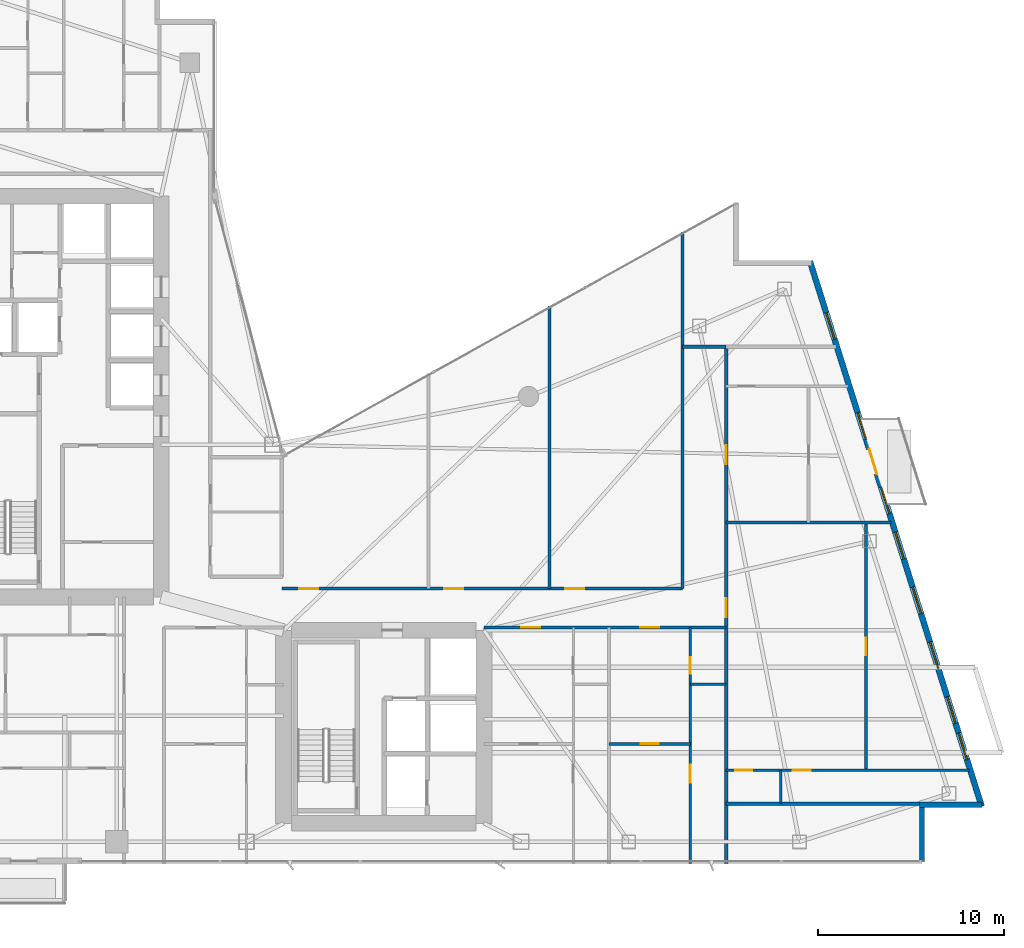
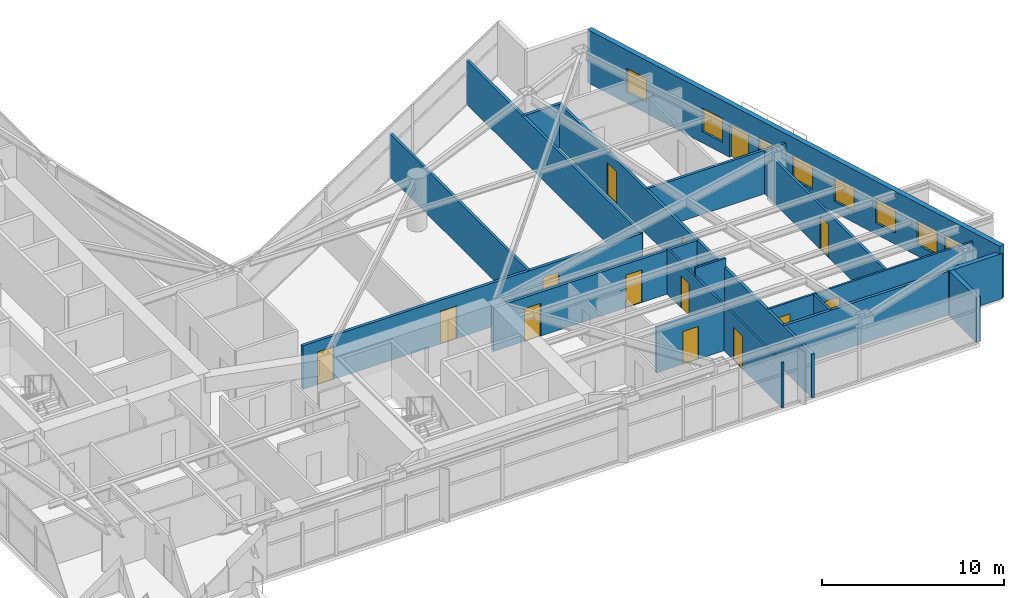
# One storey, part 24 of 29: 17 walls, 14 doors, 8 windows, 22 openings.
"""IFC4 building model written with IfcOpenShell, lengths in metres."""

from ifc_helpers import new_model, si_unit, direction, frame, frame_2d, origin, place, context, subcontext, project, spatial, rectangle, extrude, material, layer, layer_set, type_object, element, fill, save


model = new_model("IFC4")

# Units and contexts
model_context = context("Model", 3, precision=1e-05, world=origin(), true_north=direction((0.0, 1.0)))
body_context = subcontext(model_context, "Body", "Model", "MODEL_VIEW")
ifc_project = project(units=[si_unit("LENGTHUNIT", "METRE"), si_unit("AREAUNIT", "SQUARE_METRE"), si_unit("VOLUMEUNIT", "CUBIC_METRE"), si_unit("PLANEANGLEUNIT", "RADIAN"), si_unit("MASSUNIT", "GRAM", prefix="KILO")], contexts=[model_context])

# Site, building, storey
site_placement = place(None, origin())
site = spatial("IfcSite", under=ifc_project, at=site_placement, CompositionType="ELEMENT")
building_placement = place(site_placement, origin())
building = spatial("IfcBuilding", under=site, at=building_placement, Name="Calvorn Quay Hotel", CompositionType="ELEMENT")
storey_placement = place(building_placement, frame((0.0, 0.0, 163.699951171875)))
storey = spatial("IfcBuildingStorey", under=building, at=storey_placement, Name="L40", CompositionType="ELEMENT", Elevation=163.699951171875)

# Wall, openings, doors
ifc_material_1 = material(Name="Acoustic Fireboard Steel-Stud Partition", Category="steel")
ifc_layer_1 = layer(ifc_material_1, 0.179931640625)
ifc_layer_set_1 = layer_set([ifc_layer_1], Name="WL-CORR-FIRE-180")
wall_type_1 = type_object("IfcWallType", Name="WL-CORR-FIRE-180", PredefinedType="PARTITIONING", material=ifc_layer_set_1)
wall_1_placement = place(storey_placement, frame((32.39990234375, 15.14990234375, 0.0), z_axis=(0.0, 0.0, 1.0), x_axis=(1.0, 0.0, 0.0)))
wall_1 = element("IfcWall", 1, at=wall_1_placement, inside=storey, type_object=wall_type_1, Name="Partition Wall L40-WL-CORR-SE-S", PredefinedType="PARTITIONING", context=body_context, shape_type="SweptSolid", body=[
    extrude(rectangle(XDim=13.050048828125, YDim=0.179931640625, at=frame_2d((6.52490234375, 0.0))), origin(), (0.0, 0.0, 1.0), 2.93994140625),
])
opening_1_placement = place(wall_1_placement, frame((2.0, 0.0, 0.0)))
opening_1 = element("IfcOpeningElement", 2, at=opening_1_placement, cuts=wall_1, Name="Opening D-L40-U06", PredefinedType="OPENING", context=body_context, shape_type="SweptSolid", body=[
    extrude(rectangle(XDim=1.02001953125, YDim=2.199951171875, at=frame_2d((0.510009765625, 1.10009765625))), frame((0.0, 0.099853515625, 0.0), z_axis=(0.0, -1.0, 0.0), x_axis=(1.0, 0.0, 0.0)), (0.0, 0.0, 1.0), 0.199951171875),
])
opening_2_placement = place(wall_1_placement, frame((8.429931640625, 0.0, 0.0)))
opening_2 = element("IfcOpeningElement", 3, at=opening_2_placement, cuts=wall_1, Name="Opening D-L40-U07", PredefinedType="OPENING", context=body_context, shape_type="SweptSolid", body=[
    extrude(rectangle(XDim=1.02001953125, YDim=2.199951171875, at=frame_2d((0.510009765625, 1.10009765625))), frame((0.0, 0.099853515625, 0.0), z_axis=(0.0, -1.0, 0.0), x_axis=(1.0, 0.0, 0.0)), (0.0, 0.0, 1.0), 0.199951171875),
])
ifc_material_2 = material(Name="Solid-Core Walnut Veneer Hotel Fire Door")
door_type_1 = type_object("IfcDoorType", Name="DR-GUEST-ENTRY-1020", OperationType="NOTDEFINED", PredefinedType="DOOR", material=ifc_material_2)
door_1_placement = place(opening_1_placement, origin())
door_1 = element("IfcDoor", 4, at=door_1_placement, inside=storey, type_object=door_type_1, Name="South-East Unit Door U06 (L40)", OperationType="SINGLE_SWING_LEFT", OverallHeight=2.199951171875, OverallWidth=1.02001953125, PredefinedType="DOOR", context=body_context, shape_type="SweptSolid", body=[
    extrude(rectangle(XDim=1.02001953125, YDim=2.199951171875, at=frame_2d((0.510009765625, 1.10009765625))), frame((0.0, 0.02490234375, 0.0), z_axis=(0.0, -1.0, 0.0), x_axis=(1.0, 0.0, 0.0)), (0.0, 0.0, 1.0), 0.050048828125),
])
fill(opening_1, door_1)
door_2_placement = place(opening_2_placement, origin())
door_2 = element("IfcDoor", 5, at=door_2_placement, inside=storey, type_object=door_type_1, Name="South-East Unit Door U07 (L40)", OperationType="SINGLE_SWING_RIGHT", OverallHeight=2.199951171875, OverallWidth=1.02001953125, PredefinedType="DOOR", context=body_context, shape_type="SweptSolid", body=[
    extrude(rectangle(XDim=1.02001953125, YDim=2.199951171875, at=frame_2d((0.510009765625, 1.10009765625))), frame((0.0, 0.02490234375, 0.0), z_axis=(0.0, -1.0, 0.0), x_axis=(1.0, 0.0, 0.0)), (0.0, 0.0, 1.0), 0.050048828125),
])
fill(opening_2, door_2)

wall_2_placement = place(storey_placement, frame((21.5, 17.25, 0.0), z_axis=(0.0, 0.0, 1.0), x_axis=(1.0, 0.0, 0.0)))
wall_2 = element("IfcWall", 6, at=wall_2_placement, inside=storey, type_object=wall_type_1, Name="Partition Wall L40-WL-CORR-NE-N", PredefinedType="PARTITIONING", context=body_context, shape_type="SweptSolid", body=[
    extrude(rectangle(XDim=21.60009765625, YDim=0.179931640625, at=frame_2d((10.800048828125, 0.0))), origin(), (0.0, 0.0, 1.0), 2.93994140625),
])
opening_3_placement = place(wall_2_placement, frame((0.949951171875, 0.0, 0.0)))
opening_3 = element("IfcOpeningElement", 7, at=opening_3_placement, cuts=wall_2, Name="Opening D-L40-NS1", PredefinedType="OPENING", context=body_context, shape_type="SweptSolid", body=[
    extrude(rectangle(XDim=1.02001953125, YDim=2.199951171875, at=frame_2d((0.510009765625, 1.10009765625))), frame((0.0, 0.099853515625, 0.0), z_axis=(0.0, -1.0, 0.0), x_axis=(1.0, 0.0, 0.0)), (0.0, 0.0, 1.0), 0.199951171875),
])
opening_4_placement = place(wall_2_placement, frame((8.77001953125, 0.0, 0.0)))
opening_4 = element("IfcOpeningElement", 8, at=opening_4_placement, cuts=wall_2, Name="Opening D-L40-NS2", PredefinedType="OPENING", context=body_context, shape_type="SweptSolid", body=[
    extrude(rectangle(XDim=1.02001953125, YDim=2.199951171875, at=frame_2d((0.510009765625, 1.10009765625))), frame((0.0, 0.099853515625, 0.0), z_axis=(0.0, -1.0, 0.0), x_axis=(1.0, 0.0, 0.0)), (0.0, 0.0, 1.0), 0.199951171875),
])
opening_5_placement = place(wall_2_placement, frame((15.280029296875, 0.0, 0.0)))
opening_5 = element("IfcOpeningElement", 9, at=opening_5_placement, cuts=wall_2, Name="Opening D-L40-NS3", PredefinedType="OPENING", context=body_context, shape_type="SweptSolid", body=[
    extrude(rectangle(XDim=1.02001953125, YDim=2.199951171875, at=frame_2d((0.510009765625, 1.10009765625))), frame((0.0, 0.099853515625, 0.0), z_axis=(0.0, -1.0, 0.0), x_axis=(1.0, 0.0, 0.0)), (0.0, 0.0, 1.0), 0.199951171875),
])
door_3_placement = place(opening_3_placement, origin())
door_3 = element("IfcDoor", 10, at=door_3_placement, inside=storey, type_object=door_type_1, Name="Conservatory Salon Door 1 (L40)", OperationType="SINGLE_SWING_RIGHT", OverallHeight=2.199951171875, OverallWidth=1.02001953125, PredefinedType="DOOR", context=body_context, shape_type="SweptSolid", body=[
    extrude(rectangle(XDim=1.02001953125, YDim=2.199951171875, at=frame_2d((0.510009765625, 1.10009765625))), frame((0.0, 0.02490234375, 0.0), z_axis=(0.0, -1.0, 0.0), x_axis=(1.0, 0.0, 0.0)), (0.0, 0.0, 1.0), 0.050048828125),
])
fill(opening_3, door_3)
door_4_placement = place(opening_4_placement, origin())
door_4 = element("IfcDoor", 11, at=door_4_placement, inside=storey, type_object=door_type_1, Name="Conservatory Salon Door 2 (L40)", OperationType="SINGLE_SWING_LEFT", OverallHeight=2.199951171875, OverallWidth=1.02001953125, PredefinedType="DOOR", context=body_context, shape_type="SweptSolid", body=[
    extrude(rectangle(XDim=1.02001953125, YDim=2.199951171875, at=frame_2d((0.510009765625, 1.10009765625))), frame((0.0, 0.02490234375, 0.0), z_axis=(0.0, -1.0, 0.0), x_axis=(1.0, 0.0, 0.0)), (0.0, 0.0, 1.0), 0.050048828125),
])
fill(opening_4, door_4)
door_5_placement = place(opening_5_placement, origin())
door_5 = element("IfcDoor", 12, at=door_5_placement, inside=storey, type_object=door_type_1, Name="Conservatory Salon Door 3 (L40)", OperationType="SINGLE_SWING_RIGHT", OverallHeight=2.199951171875, OverallWidth=1.02001953125, PredefinedType="DOOR", context=body_context, shape_type="SweptSolid", body=[
    extrude(rectangle(XDim=1.02001953125, YDim=2.199951171875, at=frame_2d((0.510009765625, 1.10009765625))), frame((0.0, 0.02490234375, 0.0), z_axis=(0.0, -1.0, 0.0), x_axis=(1.0, 0.0, 0.0)), (0.0, 0.0, 1.0), 0.050048828125),
])
fill(opening_5, door_5)

# Walls
wall_3_placement = place(storey_placement, frame((43.10009765625, 17.25, 0.0), z_axis=(0.0, 0.0, 1.0), x_axis=(0.0, 1.0, 0.0)))
element("IfcWall", 13, at=wall_3_placement, inside=storey, type_object=wall_type_1, Name="Partition Wall L40-WL-NE-END-E", PredefinedType="PARTITIONING", context=body_context, shape_type="SweptSolid", body=[
    extrude(rectangle(XDim=19.2099609375, YDim=0.179931640625, at=frame_2d((9.60498046875, 0.0))), origin(), (0.0, 0.0, 1.0), 2.93994140625),
])
wall_4_placement = place(storey_placement, frame((45.449951171875, 5.659912109375, 0.0), z_axis=(0.0, 0.0, 1.0), x_axis=(1.0, 0.0, 0.0)))
element("IfcWall", 14, at=wall_4_placement, inside=storey, type_object=wall_type_1, Name="Partition Wall L40-WL-TIP-S", PredefinedType="PARTITIONING", context=body_context, shape_type="SweptSolid", body=[
    extrude(rectangle(XDim=10.550048828125, YDim=0.179931640625, at=frame_2d((5.27490234375, 0.0))), origin(), (0.0, 0.0, 1.0), 2.93994140625),
])

# Wall, openings, doors
wall_5_placement = place(storey_placement, frame((45.449951171875, 2.43994140625, 0.0), z_axis=(0.0, 0.0, 1.0), x_axis=(0.0, 1.0, 0.0)))
wall_5 = element("IfcWall", 15, at=wall_5_placement, inside=storey, type_object=wall_type_1, Name="Partition Wall L40-WL-CORR-TIP-E", PredefinedType="PARTITIONING", context=body_context, shape_type="SweptSolid", body=[
    extrude(rectangle(XDim=27.840087890625, YDim=0.179931640625, at=frame_2d((13.919921875, 0.0))), origin(), (0.0, 0.0, 1.0), 2.93994140625),
])
opening_6_placement = place(wall_5_placement, frame((13.260009765625, 0.0, 0.0)))
opening_6 = element("IfcOpeningElement", 16, at=opening_6_placement, cuts=wall_5, Name="Opening D-L40-U08", PredefinedType="OPENING", context=body_context, shape_type="SweptSolid", body=[
    extrude(rectangle(XDim=1.02001953125, YDim=2.199951171875, at=frame_2d((0.510009765625, 1.10009765625))), frame((0.0, 0.099853515625, 0.0), z_axis=(0.0, -1.0, 0.0), x_axis=(1.0, 0.0, 0.0)), (0.0, 0.0, 1.0), 0.199951171875),
])
opening_7_placement = place(wall_5_placement, frame((21.52001953125, 0.0, 0.0)))
opening_7 = element("IfcOpeningElement", 17, at=opening_7_placement, cuts=wall_5, Name="Opening D-L40-U09", PredefinedType="OPENING", context=body_context, shape_type="SweptSolid", body=[
    extrude(rectangle(XDim=1.02001953125, YDim=2.199951171875, at=frame_2d((0.510009765625, 1.10009765625))), frame((0.0, 0.099853515625, 0.0), z_axis=(0.0, -1.0, 0.0), x_axis=(1.0, 0.0, 0.0)), (0.0, 0.0, 1.0), 0.199951171875),
])
door_6_placement = place(opening_6_placement, origin())
door_6 = element("IfcDoor", 18, at=door_6_placement, inside=storey, type_object=door_type_1, Name="Terrace Suite Door U08 (L40)", OperationType="SINGLE_SWING_LEFT", OverallHeight=2.199951171875, OverallWidth=1.02001953125, PredefinedType="DOOR", context=body_context, shape_type="SweptSolid", body=[
    extrude(rectangle(XDim=1.02001953125, YDim=2.199951171875, at=frame_2d((0.510009765625, 1.10009765625))), frame((0.0, 0.02490234375, 0.0), z_axis=(0.0, -1.0, 0.0), x_axis=(1.0, 0.0, 0.0)), (0.0, 0.0, 1.0), 0.050048828125),
])
fill(opening_6, door_6)
door_7_placement = place(opening_7_placement, origin())
door_7 = element("IfcDoor", 19, at=door_7_placement, inside=storey, type_object=door_type_1, Name="Horizon Suite Door U09 (L40)", OperationType="SINGLE_SWING_RIGHT", OverallHeight=2.199951171875, OverallWidth=1.02001953125, PredefinedType="DOOR", context=body_context, shape_type="SweptSolid", body=[
    extrude(rectangle(XDim=1.02001953125, YDim=2.199951171875, at=frame_2d((0.510009765625, 1.10009765625))), frame((0.0, 0.02490234375, 0.0), z_axis=(0.0, -1.0, 0.0), x_axis=(1.0, 0.0, 0.0)), (0.0, 0.0, 1.0), 0.050048828125),
])
fill(opening_7, door_7)

# Walls
wall_6_placement = place(storey_placement, frame((43.10009765625, 30.280029296875, 0.0), z_axis=(0.0, 0.0, 1.0), x_axis=(1.0, 0.0, 0.0)))
element("IfcWall", 20, at=wall_6_placement, inside=storey, type_object=wall_type_1, Name="Partition Wall L40-WL-CORR-TIP-NN", PredefinedType="PARTITIONING", context=body_context, shape_type="SweptSolid", body=[
    extrude(rectangle(XDim=2.349853515625, YDim=0.179931640625, at=frame_2d((1.1748046875, 0.0))), origin(), (0.0, 0.0, 1.0), 2.93994140625),
])
ifc_material_3 = material(Name="Moisture-Resistant Tile-Backed Partition")
ifc_layer_2 = layer(ifc_material_3, 0.125)
ifc_layer_set_2 = layer_set([ifc_layer_2], Name="WL-ENSUITE-125")
wall_type_2 = type_object("IfcWallType", Name="WL-ENSUITE-125", PredefinedType="PARTITIONING", material=ifc_layer_set_2)
wall_7_placement = place(storey_placement, frame((43.52001953125, 12.10009765625, 0.0), z_axis=(0.0, 0.0, 1.0), x_axis=(1.0, 0.0, 0.0)))
element("IfcWall", 21, at=wall_7_placement, inside=storey, type_object=wall_type_2, Name="Partition Wall L40-WL-U07-BDV", PredefinedType="PARTITIONING", context=body_context, shape_type="SweptSolid", body=[
    extrude(rectangle(XDim=1.929931640625, YDim=0.125, at=frame_2d((0.96484375, 0.0))), origin(), (0.0, 0.0, 1.0), 3.56005859375),
])

# Wall, openings, doors
wall_8_placement = place(storey_placement, frame((43.52001953125, 2.43994140625, 0.0), z_axis=(0.0, 0.0, 1.0), x_axis=(0.0, 1.0, 0.0)))
wall_8 = element("IfcWall", 22, at=wall_8_placement, inside=storey, type_object=wall_type_2, Name="Partition Wall L40-WL-U07-BV", PredefinedType="PARTITIONING", context=body_context, shape_type="SweptSolid", body=[
    extrude(rectangle(XDim=12.7099609375, YDim=0.125, at=frame_2d((6.35498046875, 0.0))), origin(), (0.0, 0.0, 1.0), 3.0400390625),
])
opening_8_placement = place(wall_8_placement, frame((4.35009765625, 0.0, 0.0)))
opening_8 = element("IfcOpeningElement", 23, at=opening_8_placement, cuts=wall_8, Name="Opening D-L40-S07", PredefinedType="OPENING", context=body_context, shape_type="SweptSolid", body=[
    extrude(rectangle(XDim=0.9599609375, YDim=2.199951171875, at=frame_2d((0.47998046875, 1.10009765625))), frame((0.0, 0.072509765625, 0.0), z_axis=(0.0, -1.0, 0.0), x_axis=(1.0, 0.0, 0.0)), (0.0, 0.0, 1.0), 0.14501953125),
])
opening_9_placement = place(wall_8_placement, frame((10.2099609375, 0.0, 0.0)))
opening_9 = element("IfcOpeningElement", 24, at=opening_9_placement, cuts=wall_8, Name="Opening D-L40-E07", PredefinedType="OPENING", context=body_context, shape_type="SweptSolid", body=[
    extrude(rectangle(XDim=0.89990234375, YDim=2.14990234375, at=frame_2d((0.449951171875, 1.074951171875))), frame((0.0, 0.072509765625, 0.0), z_axis=(0.0, -1.0, 0.0), x_axis=(1.0, 0.0, 0.0)), (0.0, 0.0, 1.0), 0.14501953125),
])
ifc_material_4 = material(Name="Moisture-Sealed Timber En-Suite Door", Category="wood")
door_type_2 = type_object("IfcDoorType", Name="DR-ENSUITE-900", OperationType="NOTDEFINED", PredefinedType="DOOR", material=ifc_material_4)
door_8_placement = place(opening_9_placement, origin())
door_8 = element("IfcDoor", 25, at=door_8_placement, inside=storey, type_object=door_type_2, Name="En-Suite Door 07", OperationType="SINGLE_SWING_RIGHT", OverallHeight=2.14990234375, OverallWidth=0.89990234375, PredefinedType="DOOR", context=body_context, shape_type="SweptSolid", body=[
    extrude(rectangle(XDim=0.89990234375, YDim=2.14990234375, at=frame_2d((0.449951171875, 1.074951171875))), frame((0.0, 0.02490234375, 0.0), z_axis=(0.0, -1.0, 0.0), x_axis=(1.0, 0.0, 0.0)), (0.0, 0.0, 1.0), 0.050048828125),
])
fill(opening_9, door_8)
ifc_material_5 = material(Name="Solid Timber Internal Suite Door", Category="wood")
door_type_3 = type_object("IfcDoorType", Name="DR-SUITE-INT-960", OperationType="NOTDEFINED", PredefinedType="DOOR", material=ifc_material_5)
door_9_placement = place(opening_8_placement, origin())
door_9 = element("IfcDoor", 26, at=door_9_placement, inside=storey, type_object=door_type_3, Name="Botanical Winter Garden Door 07", OperationType="SINGLE_SWING_LEFT", OverallHeight=2.199951171875, OverallWidth=0.9599609375, PredefinedType="DOOR", context=body_context, shape_type="SweptSolid", body=[
    extrude(rectangle(XDim=0.9599609375, YDim=2.199951171875, at=frame_2d((0.47998046875, 1.10009765625))), frame((0.0, 0.02490234375, 0.0), z_axis=(0.0, -1.0, 0.0), x_axis=(1.0, 0.0, 0.0)), (0.0, 0.0, 1.0), 0.050048828125),
])
fill(opening_8, door_9)

# Wall
wall_9_placement = place(storey_placement, frame((48.39990234375, 5.659912109375, 0.0), z_axis=(0.0, 0.0, 1.0), x_axis=(0.0, 1.0, 0.0)))
element("IfcWall", 27, at=wall_9_placement, inside=storey, type_object=wall_type_2, Name="Partition Wall L40-WL-U08-BDV", PredefinedType="PARTITIONING", context=body_context, shape_type="SweptSolid", body=[
    extrude(rectangle(XDim=1.7900390625, YDim=0.125, at=frame_2d((0.89501953125, 0.0))), origin(), (0.0, 0.0, 1.0), 2.93994140625),
])

# Wall, openings, doors
wall_10_placement = place(storey_placement, frame((45.449951171875, 7.449951171875, 0.0), z_axis=(0.0, 0.0, 1.0), x_axis=(1.0, 0.0, 0.0)))
wall_10 = element("IfcWall", 28, at=wall_10_placement, inside=storey, type_object=wall_type_2, Name="Partition Wall L40-WL-U08-BH", PredefinedType="PARTITIONING", context=body_context, shape_type="SweptSolid", body=[
    extrude(rectangle(XDim=13.110107421875, YDim=0.125, at=frame_2d((6.55517578125, 0.0))), origin(), (0.0, 0.0, 1.0), 2.93994140625),
])
opening_10_placement = place(wall_10_placement, frame((0.5, 0.0, 0.0)))
opening_10 = element("IfcOpeningElement", 29, at=opening_10_placement, cuts=wall_10, Name="Opening D-L40-E08", PredefinedType="OPENING", context=body_context, shape_type="SweptSolid", body=[
    extrude(rectangle(XDim=0.89990234375, YDim=2.14990234375, at=frame_2d((0.449951171875, 1.074951171875))), frame((0.0, 0.072509765625, 0.0), z_axis=(0.0, -1.0, 0.0), x_axis=(1.0, 0.0, 0.0)), (0.0, 0.0, 1.0), 0.14501953125),
])
opening_11_placement = place(wall_10_placement, frame((3.60009765625, 0.0, 0.0)))
opening_11 = element("IfcOpeningElement", 30, at=opening_11_placement, cuts=wall_10, Name="Opening D-L40-S08", PredefinedType="OPENING", context=body_context, shape_type="SweptSolid", body=[
    extrude(rectangle(XDim=0.9599609375, YDim=2.199951171875, at=frame_2d((0.47998046875, 1.10009765625))), frame((0.0, 0.072509765625, 0.0), z_axis=(0.0, -1.0, 0.0), x_axis=(1.0, 0.0, 0.0)), (0.0, 0.0, 1.0), 0.14501953125),
])
door_10_placement = place(opening_10_placement, origin())
door_10 = element("IfcDoor", 31, at=door_10_placement, inside=storey, type_object=door_type_2, Name="En-Suite Door 08", OperationType="SINGLE_SWING_LEFT", OverallHeight=2.14990234375, OverallWidth=0.89990234375, PredefinedType="DOOR", context=body_context, shape_type="SweptSolid", body=[
    extrude(rectangle(XDim=0.89990234375, YDim=2.14990234375, at=frame_2d((0.449951171875, 1.074951171875))), frame((0.0, 0.02490234375, 0.0), z_axis=(0.0, -1.0, 0.0), x_axis=(1.0, 0.0, 0.0)), (0.0, 0.0, 1.0), 0.050048828125),
])
fill(opening_10, door_10)
door_11_placement = place(opening_11_placement, origin())
door_11 = element("IfcDoor", 32, at=door_11_placement, inside=storey, type_object=door_type_3, Name="Botanical Winter Garden Door 08", OperationType="SINGLE_SWING_RIGHT", OverallHeight=2.199951171875, OverallWidth=0.9599609375, PredefinedType="DOOR", context=body_context, shape_type="SweptSolid", body=[
    extrude(rectangle(XDim=0.9599609375, YDim=2.199951171875, at=frame_2d((0.47998046875, 1.10009765625))), frame((0.0, 0.02490234375, 0.0), z_axis=(0.0, -1.0, 0.0), x_axis=(1.0, 0.0, 0.0)), (0.0, 0.0, 1.0), 0.050048828125),
])
fill(opening_11, door_11)

# Walls
ifc_material_6 = material(Name="Concrete C40", Category="concrete")
ifc_layer_3 = layer(ifc_material_6, 0.320068359375)
ifc_layer_set_3 = layer_set([ifc_layer_3], Name="WL-EXT-SPANDREL-320")
wall_type_3 = type_object("IfcWallType", Name="WL-EXT-SPANDREL-320", PredefinedType="SOLIDWALL", material=ifc_layer_set_3)
wall_11_placement = place(storey_placement, frame((56.0, 2.52001953125, 0.0), z_axis=(0.0, 0.0, 1.0), x_axis=(0.0, 1.0, 0.0)))
element("IfcWall", 33, at=wall_11_placement, inside=storey, type_object=wall_type_3, Name="Notched Corner Spandrel L40-SE1", PredefinedType="SOLIDWALL", context=body_context, shape_type="SweptSolid", body=[
    extrude(rectangle(XDim=2.93994140625, YDim=0.280029296875, at=frame_2d((1.469970703125, 0.0))), origin(), (0.0, 0.0, 1.0), 3.0400390625),
])
wall_12_placement = place(storey_placement, frame((55.860107421875, 5.60009765625, 0.0), z_axis=(0.0, 0.0, 1.0), x_axis=(1.0, 0.0, 0.0)))
element("IfcWall", 34, at=wall_12_placement, inside=storey, type_object=wall_type_3, Name="Notched Corner Spandrel L40-SE2", PredefinedType="SOLIDWALL", context=body_context, shape_type="SweptSolid", body=[
    extrude(rectangle(XDim=3.3798828125, YDim=0.280029296875, at=frame_2d((1.68994140625, 0.0))), origin(), (0.0, 0.0, 1.0), 3.0400390625),
])

# Wall, openings, door, windows
wall_13_placement = place(storey_placement, frame((59.22998046875, 5.5048828125, 0.0), z_axis=(0.0, 0.0, 1.0), x_axis=(-0.300509063924, 0.953778958931, 0.0)))
wall_13 = element("IfcWall", 35, at=wall_13_placement, inside=storey, type_object=wall_type_3, Name="East Stepped Waterfront Exterior Wall (L40)", PredefinedType="SOLIDWALL", context=body_context, shape_type="SweptSolid", body=[
    extrude(rectangle(XDim=30.814453125, YDim=0.320068359375, at=frame_2d((15.4072265625, 0.0))), origin(), (0.0, 0.0, 1.0), 3.56005859375),
])
opening_12_placement = place(wall_13_placement, frame((18.7958984375, 0.0, 0.0)))
opening_12 = element("IfcOpeningElement", 36, at=opening_12_placement, cuts=wall_13, Name="Opening DB-L40-1", PredefinedType="OPENING", context=body_context, shape_type="SweptSolid", body=[
    extrude(rectangle(XDim=1.39990234375, YDim=2.25, at=frame_2d((0.699951171875, 1.125))), frame((0.0, 0.169921875, 0.0), z_axis=(0.0, -1.0, 0.0), x_axis=(1.0, 0.0, 0.0)), (0.0, 0.0, 1.0), 0.340087890625),
])
opening_13_placement = place(wall_13_placement, frame((2.64990234375, 0.0, 0.75)))
opening_13 = element("IfcOpeningElement", 37, at=opening_13_placement, cuts=wall_13, Name="Opening WG-L40-E1", PredefinedType="OPENING", context=body_context, shape_type="SweptSolid", body=[
    extrude(rectangle(XDim=1.5, YDim=1.60009765625, at=frame_2d((0.75, 0.800048828125))), frame((0.0, 0.169921875, 0.0), z_axis=(0.0, -1.0, 0.0), x_axis=(1.0, 0.0, 0.0)), (0.0, 0.0, 1.0), 0.340087890625),
])
opening_14_placement = place(wall_13_placement, frame((4.699951171875, 0.0, 0.75)))
opening_14 = element("IfcOpeningElement", 38, at=opening_14_placement, cuts=wall_13, Name="Opening WG-L40-E2", PredefinedType="OPENING", context=body_context, shape_type="SweptSolid", body=[
    extrude(rectangle(XDim=1.5, YDim=1.60009765625, at=frame_2d((0.75, 0.800048828125))), frame((0.0, 0.169921875, 0.0), z_axis=(0.0, -1.0, 0.0), x_axis=(1.0, 0.0, 0.0)), (0.0, 0.0, 1.0), 0.340087890625),
])
opening_15_placement = place(wall_13_placement, frame((7.800048828125, 0.0, 0.75)))
opening_15 = element("IfcOpeningElement", 39, at=opening_15_placement, cuts=wall_13, Name="Opening WG-L40-E3", PredefinedType="OPENING", context=body_context, shape_type="SweptSolid", body=[
    extrude(rectangle(XDim=1.5, YDim=1.60009765625, at=frame_2d((0.75, 0.800048828125))), frame((0.0, 0.169921875, 0.0), z_axis=(0.0, -1.0, 0.0), x_axis=(1.0, 0.0, 0.0)), (0.0, 0.0, 1.0), 0.340087890625),
])
opening_16_placement = place(wall_13_placement, frame((10.89990234375, 0.0, 0.75)))
opening_16 = element("IfcOpeningElement", 40, at=opening_16_placement, cuts=wall_13, Name="Opening WG-L40-E4", PredefinedType="OPENING", context=body_context, shape_type="SweptSolid", body=[
    extrude(rectangle(XDim=1.5, YDim=1.60009765625, at=frame_2d((0.75, 0.800048828125))), frame((0.0, 0.169921875, 0.0), z_axis=(0.0, -1.0, 0.0), x_axis=(1.0, 0.0, 0.0)), (0.0, 0.0, 1.0), 0.340087890625),
])
opening_17_placement = place(wall_13_placement, frame((14.0, 0.0, 0.75)))
opening_17 = element("IfcOpeningElement", 41, at=opening_17_placement, cuts=wall_13, Name="Opening WG-L40-E5", PredefinedType="OPENING", context=body_context, shape_type="SweptSolid", body=[
    extrude(rectangle(XDim=1.5, YDim=1.60009765625, at=frame_2d((0.75, 0.800048828125))), frame((0.0, 0.169921875, 0.0), z_axis=(0.0, -1.0, 0.0), x_axis=(1.0, 0.0, 0.0)), (0.0, 0.0, 1.0), 0.340087890625),
])
opening_18_placement = place(wall_13_placement, frame((16.550048828125, 0.0, 0.75)))
opening_18 = element("IfcOpeningElement", 42, at=opening_18_placement, cuts=wall_13, Name="Opening WG-L40-E6", PredefinedType="OPENING", context=body_context, shape_type="SweptSolid", body=[
    extrude(rectangle(XDim=1.5, YDim=1.60009765625, at=frame_2d((0.75, 0.800048828125))), frame((0.0, 0.169921875, 0.0), z_axis=(0.0, -1.0, 0.0), x_axis=(1.0, 0.0, 0.0)), (0.0, 0.0, 1.0), 0.340087890625),
])
opening_19_placement = place(wall_13_placement, frame((20.75, 0.0, 0.75)))
opening_19 = element("IfcOpeningElement", 43, at=opening_19_placement, cuts=wall_13, Name="Opening WG-L40-E7", PredefinedType="OPENING", context=body_context, shape_type="SweptSolid", body=[
    extrude(rectangle(XDim=1.5, YDim=1.60009765625, at=frame_2d((0.75, 0.800048828125))), frame((0.0, 0.169921875, 0.0), z_axis=(0.0, -1.0, 0.0), x_axis=(1.0, 0.0, 0.0)), (0.0, 0.0, 1.0), 0.340087890625),
])
opening_20_placement = place(wall_13_placement, frame((26.39990234375, 0.0, 0.75)))
opening_20 = element("IfcOpeningElement", 44, at=opening_20_placement, cuts=wall_13, Name="Opening WG-L40-E8", PredefinedType="OPENING", context=body_context, shape_type="SweptSolid", body=[
    extrude(rectangle(XDim=1.5, YDim=1.60009765625, at=frame_2d((0.75, 0.800048828125))), frame((0.0, 0.169921875, 0.0), z_axis=(0.0, -1.0, 0.0), x_axis=(1.0, 0.0, 0.0)), (0.0, 0.0, 1.0), 0.340087890625),
])
ifc_material_7 = material(Name="Typhoon-Rated Low-E Aluminium Terrace Door", Category="aluminium")
door_type_4 = type_object("IfcDoorType", Name="DR-BALCONY-GLZ-1400", OperationType="NOTDEFINED", PredefinedType="DOOR", material=ifc_material_7)
door_12_placement = place(opening_12_placement, origin())
door_12 = element("IfcDoor", 45, at=door_12_placement, inside=storey, type_object=door_type_4, Name="Tree Balcony Terrace Door L40-BALC-E", OperationType="SINGLE_SWING_LEFT", OverallHeight=2.25, OverallWidth=1.39990234375, PredefinedType="DOOR", context=body_context, shape_type="SweptSolid", body=[
    extrude(rectangle(XDim=1.39990234375, YDim=2.25, at=frame_2d((0.699951171875, 1.125))), frame((0.0, 0.02490234375, 0.0), z_axis=(0.0, -1.0, 0.0), x_axis=(1.0, 0.0, 0.0)), (0.0, 0.0, 1.0), 0.050048828125),
])
fill(opening_12, door_12)
ifc_material_8 = material(Name="Self-Closing Class B Fire Window")
window_type = type_object("IfcWindowType", Name="WIN-REFUGE-1500x1600", PartitioningType="SINGLE_PANEL", PredefinedType="WINDOW", material=ifc_material_8)
window_1_placement = place(opening_13_placement, origin())
window_1 = element("IfcWindow", 46, at=window_1_placement, inside=storey, type_object=window_type, Name="East Facade Window L40-E1", OverallHeight=1.60009765625, OverallWidth=1.5, PartitioningType="SINGLE_PANEL", PredefinedType="WINDOW", context=body_context, shape_type="SweptSolid", body=[
    extrude(rectangle(XDim=1.5, YDim=1.60009765625, at=frame_2d((0.75, 0.800048828125))), frame((0.0, 0.030029296875, 0.0), z_axis=(0.0, -1.0, 0.0), x_axis=(1.0, 0.0, 0.0)), (0.0, 0.0, 1.0), 0.06005859375),
])
fill(opening_13, window_1)
window_2_placement = place(opening_14_placement, origin())
window_2 = element("IfcWindow", 47, at=window_2_placement, inside=storey, type_object=window_type, Name="East Facade Window L40-E2", OverallHeight=1.60009765625, OverallWidth=1.5, PartitioningType="SINGLE_PANEL", PredefinedType="WINDOW", context=body_context, shape_type="SweptSolid", body=[
    extrude(rectangle(XDim=1.5, YDim=1.60009765625, at=frame_2d((0.75, 0.800048828125))), frame((0.0, 0.030029296875, 0.0), z_axis=(0.0, -1.0, 0.0), x_axis=(1.0, 0.0, 0.0)), (0.0, 0.0, 1.0), 0.06005859375),
])
fill(opening_14, window_2)
window_3_placement = place(opening_15_placement, origin())
window_3 = element("IfcWindow", 48, at=window_3_placement, inside=storey, type_object=window_type, Name="East Facade Window L40-E3", OverallHeight=1.60009765625, OverallWidth=1.5, PartitioningType="SINGLE_PANEL", PredefinedType="WINDOW", context=body_context, shape_type="SweptSolid", body=[
    extrude(rectangle(XDim=1.5, YDim=1.60009765625, at=frame_2d((0.75, 0.800048828125))), frame((0.0, 0.030029296875, 0.0), z_axis=(0.0, -1.0, 0.0), x_axis=(1.0, 0.0, 0.0)), (0.0, 0.0, 1.0), 0.06005859375),
])
fill(opening_15, window_3)
window_4_placement = place(opening_16_placement, origin())
window_4 = element("IfcWindow", 49, at=window_4_placement, inside=storey, type_object=window_type, Name="East Facade Window L40-E4", OverallHeight=1.60009765625, OverallWidth=1.5, PartitioningType="SINGLE_PANEL", PredefinedType="WINDOW", context=body_context, shape_type="SweptSolid", body=[
    extrude(rectangle(XDim=1.5, YDim=1.60009765625, at=frame_2d((0.75, 0.800048828125))), frame((0.0, 0.030029296875, 0.0), z_axis=(0.0, -1.0, 0.0), x_axis=(1.0, 0.0, 0.0)), (0.0, 0.0, 1.0), 0.06005859375),
])
fill(opening_16, window_4)
window_5_placement = place(opening_17_placement, origin())
window_5 = element("IfcWindow", 50, at=window_5_placement, inside=storey, type_object=window_type, Name="East Facade Window L40-E5", OverallHeight=1.60009765625, OverallWidth=1.5, PartitioningType="SINGLE_PANEL", PredefinedType="WINDOW", context=body_context, shape_type="SweptSolid", body=[
    extrude(rectangle(XDim=1.5, YDim=1.60009765625, at=frame_2d((0.75, 0.800048828125))), frame((0.0, 0.030029296875, 0.0), z_axis=(0.0, -1.0, 0.0), x_axis=(1.0, 0.0, 0.0)), (0.0, 0.0, 1.0), 0.06005859375),
])
fill(opening_17, window_5)
window_6_placement = place(opening_18_placement, origin())
window_6 = element("IfcWindow", 51, at=window_6_placement, inside=storey, type_object=window_type, Name="East Facade Window L40-E6", OverallHeight=1.60009765625, OverallWidth=1.5, PartitioningType="SINGLE_PANEL", PredefinedType="WINDOW", context=body_context, shape_type="SweptSolid", body=[
    extrude(rectangle(XDim=1.5, YDim=1.60009765625, at=frame_2d((0.75, 0.800048828125))), frame((0.0, 0.030029296875, 0.0), z_axis=(0.0, -1.0, 0.0), x_axis=(1.0, 0.0, 0.0)), (0.0, 0.0, 1.0), 0.06005859375),
])
fill(opening_18, window_6)
window_7_placement = place(opening_19_placement, origin())
window_7 = element("IfcWindow", 52, at=window_7_placement, inside=storey, type_object=window_type, Name="East Facade Window L40-E7", OverallHeight=1.60009765625, OverallWidth=1.5, PartitioningType="SINGLE_PANEL", PredefinedType="WINDOW", context=body_context, shape_type="SweptSolid", body=[
    extrude(rectangle(XDim=1.5, YDim=1.60009765625, at=frame_2d((0.75, 0.800048828125))), frame((0.0, 0.030029296875, 0.0), z_axis=(0.0, -1.0, 0.0), x_axis=(1.0, 0.0, 0.0)), (0.0, 0.0, 1.0), 0.06005859375),
])
fill(opening_19, window_7)
window_8_placement = place(opening_20_placement, origin())
window_8 = element("IfcWindow", 53, at=window_8_placement, inside=storey, type_object=window_type, Name="East Facade Window L40-E8", OverallHeight=1.60009765625, OverallWidth=1.5, PartitioningType="SINGLE_PANEL", PredefinedType="WINDOW", context=body_context, shape_type="SweptSolid", body=[
    extrude(rectangle(XDim=1.5, YDim=1.60009765625, at=frame_2d((0.75, 0.800048828125))), frame((0.0, 0.030029296875, 0.0), z_axis=(0.0, -1.0, 0.0), x_axis=(1.0, 0.0, 0.0)), (0.0, 0.0, 1.0), 0.06005859375),
])
fill(opening_20, window_8)

# Wall, opening, door
ifc_material_9 = material(Name="Double-Stud Acoustic Gypsum Partition")
ifc_layer_4 = layer(ifc_material_9, 0.159912109375)
ifc_layer_set_4 = layer_set([ifc_layer_4], Name="WL-INTERSUITE-160")
wall_type_4 = type_object("IfcWallType", Name="WL-INTERSUITE-160", PredefinedType="PARTITIONING", material=ifc_layer_set_4)
wall_14_placement = place(storey_placement, frame((39.14990234375, 8.8798828125, 0.0), z_axis=(0.0, 0.0, 1.0), x_axis=(1.0, 0.0, 0.0)))
wall_14 = element("IfcWall", 54, at=wall_14_placement, inside=storey, type_object=wall_type_4, Name="Partition Wall L40-WL-U07-MSP", PredefinedType="PARTITIONING", context=body_context, shape_type="SweptSolid", body=[
    extrude(rectangle(XDim=4.3701171875, YDim=0.159912109375, at=frame_2d((2.18505859375, 0.0))), origin(), (0.0, 0.0, 1.0), 3.090087890625),
])
opening_21_placement = place(wall_14_placement, frame((1.7099609375, 0.0, 0.0)))
opening_21 = element("IfcOpeningElement", 55, at=opening_21_placement, cuts=wall_14, Name="Opening D-L40-M07", PredefinedType="OPENING", context=body_context, shape_type="SweptSolid", body=[
    extrude(rectangle(XDim=0.9599609375, YDim=2.199951171875, at=frame_2d((0.47998046875, 1.10009765625))), frame((0.0, 0.08984375, 0.0), z_axis=(0.0, -1.0, 0.0), x_axis=(1.0, 0.0, 0.0)), (0.0, 0.0, 1.0), 0.179931640625),
])
door_13_placement = place(opening_21_placement, origin())
door_13 = element("IfcDoor", 56, at=door_13_placement, inside=storey, type_object=door_type_3, Name="Suite Bedroom Door 07", OperationType="SINGLE_SWING_LEFT", OverallHeight=2.199951171875, OverallWidth=0.9599609375, PredefinedType="DOOR", context=body_context, shape_type="SweptSolid", body=[
    extrude(rectangle(XDim=0.9599609375, YDim=2.199951171875, at=frame_2d((0.47998046875, 1.10009765625))), frame((0.0, 0.02490234375, 0.0), z_axis=(0.0, -1.0, 0.0), x_axis=(1.0, 0.0, 0.0)), (0.0, 0.0, 1.0), 0.050048828125),
])
fill(opening_21, door_13)

# Wall
wall_15_placement = place(storey_placement, frame((35.929931640625, 17.25, 0.0), z_axis=(0.0, 0.0, 1.0), x_axis=(0.0, 1.0, 0.0)))
element("IfcWall", 57, at=wall_15_placement, inside=storey, type_object=wall_type_4, Name="Partition Wall L40-WL-NE-DIV-2", PredefinedType="PARTITIONING", context=body_context, shape_type="SweptSolid", body=[
    extrude(rectangle(XDim=15.219970703125, YDim=0.159912109375, at=frame_2d((7.60986328125, 0.0))), origin(), (0.0, 0.0, 1.0), 2.93994140625),
])

# Wall, opening, door
wall_16_placement = place(storey_placement, frame((52.989990234375, 7.449951171875, 0.0), z_axis=(0.0, 0.0, 1.0), x_axis=(0.0, 1.0, 0.0)))
wall_16 = element("IfcWall", 58, at=wall_16_placement, inside=storey, type_object=wall_type_4, Name="Partition Wall L40-WL-U08-MSP", PredefinedType="PARTITIONING", context=body_context, shape_type="SweptSolid", body=[
    extrude(rectangle(XDim=13.35009765625, YDim=0.159912109375, at=frame_2d((6.675048828125, 0.0))), origin(), (0.0, 0.0, 1.0), 2.93994140625),
])
opening_22_placement = place(wall_16_placement, frame((6.199951171875, 0.0, 0.0)))
opening_22 = element("IfcOpeningElement", 59, at=opening_22_placement, cuts=wall_16, Name="Opening D-L40-M08", PredefinedType="OPENING", context=body_context, shape_type="SweptSolid", body=[
    extrude(rectangle(XDim=0.9599609375, YDim=2.199951171875, at=frame_2d((0.47998046875, 1.10009765625))), frame((0.0, 0.08984375, 0.0), z_axis=(0.0, -1.0, 0.0), x_axis=(1.0, 0.0, 0.0)), (0.0, 0.0, 1.0), 0.179931640625),
])
door_14_placement = place(opening_22_placement, origin())
door_14 = element("IfcDoor", 60, at=door_14_placement, inside=storey, type_object=door_type_3, Name="Suite Bedroom Door 08", OperationType="SINGLE_SWING_LEFT", OverallHeight=2.199951171875, OverallWidth=0.9599609375, PredefinedType="DOOR", context=body_context, shape_type="SweptSolid", body=[
    extrude(rectangle(XDim=0.9599609375, YDim=2.199951171875, at=frame_2d((0.47998046875, 1.10009765625))), frame((0.0, 0.02490234375, 0.0), z_axis=(0.0, -1.0, 0.0), x_axis=(1.0, 0.0, 0.0)), (0.0, 0.0, 1.0), 0.050048828125),
])
fill(opening_22, door_14)

# Wall
wall_17_placement = place(storey_placement, frame((45.449951171875, 20.800048828125, 0.0), z_axis=(0.0, 0.0, 1.0), x_axis=(1.0, 0.0, 0.0)))
element("IfcWall", 61, at=wall_17_placement, inside=storey, type_object=wall_type_4, Name="Partition Wall L40-WL-TIP-DIV", PredefinedType="PARTITIONING", context=body_context, shape_type="SweptSolid", body=[
    extrude(rectangle(XDim=8.900146484375, YDim=0.159912109375, at=frame_2d((4.4501953125, 0.0))), origin(), (0.0, 0.0, 1.0), 2.93994140625),
])

save(model, "model.ifc")
